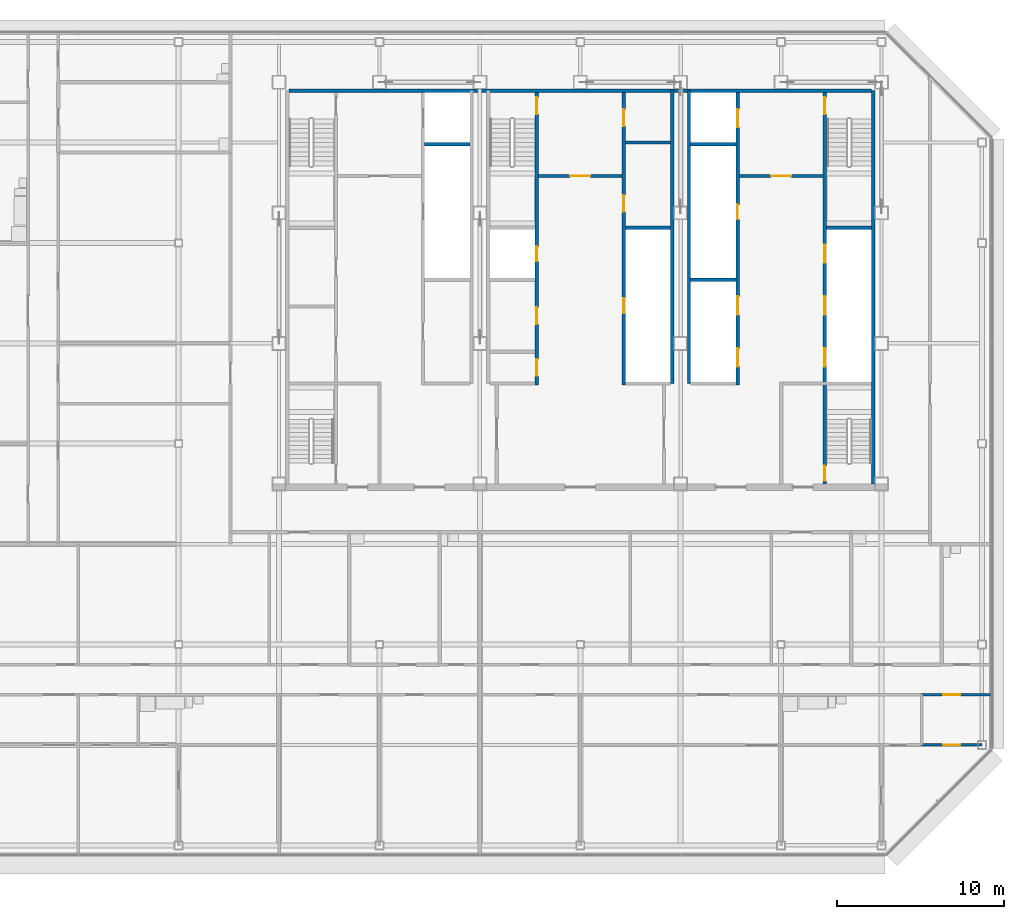
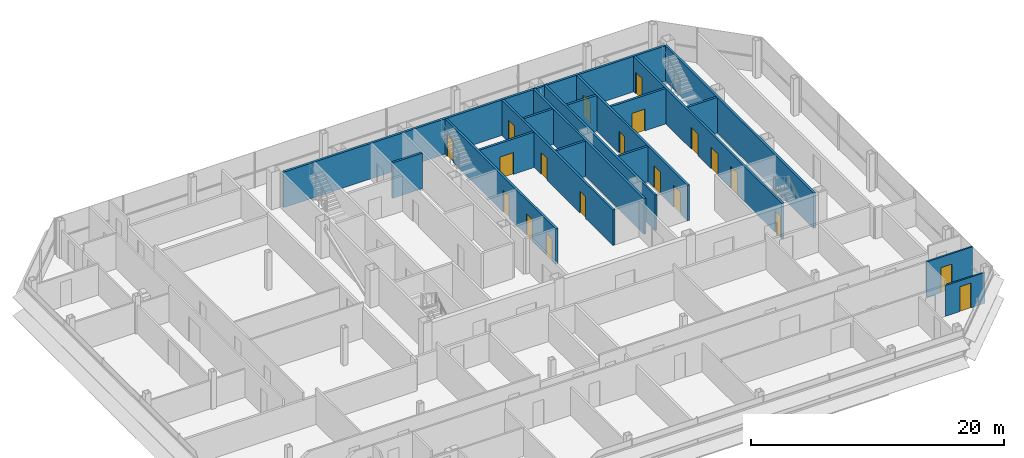
# One storey, part 24 of 27: 20 doors, 18 walls, 20 openings.
"""IFC4 building model written with IfcOpenShell, lengths in metres."""

from ifc_helpers import new_model, si_unit, direction, frame, frame_2d, origin, place, context, subcontext, project, spatial, rectangle, extrude, material, layer, layer_set, type_object, element, fill, save


model = new_model("IFC4")

# Units and contexts
model_context = context("Model", 3, precision=1e-05, world=origin(), true_north=direction((0.0, 1.0)))
body_context = subcontext(model_context, "Body", "Model", "MODEL_VIEW")
ifc_project = project(units=[si_unit("LENGTHUNIT", "METRE"), si_unit("AREAUNIT", "SQUARE_METRE"), si_unit("VOLUMEUNIT", "CUBIC_METRE"), si_unit("PLANEANGLEUNIT", "RADIAN"), si_unit("MASSUNIT", "GRAM", prefix="KILO")], contexts=[model_context])

# Site, building, storey
site_placement = place(None, origin())
site = spatial("IfcSite", under=ifc_project, at=site_placement, CompositionType="ELEMENT")
building_placement = place(site_placement, origin())
building = spatial("IfcBuilding", under=site, at=building_placement, Name="Sorahane Residences", CompositionType="ELEMENT")
storey_placement = place(building_placement, frame((0.0, 0.0, 312.39990234375)))
storey = spatial("IfcBuildingStorey", under=building, at=storey_placement, Name="L74", CompositionType="ELEMENT", Elevation=312.39990234375)

# Walls
ifc_material_1 = material(Name="Concrete C30", Category="concrete")
ifc_layer_1 = layer(ifc_material_1, 0.199951171875)
ifc_layer_set_1 = layer_set([ifc_layer_1], Name="Core face wall 200 EI 180")
wall_type_1 = type_object("IfcWallType", Name="Core face wall 200 EI 180", PredefinedType="SOLIDWALL", material=ifc_layer_set_1)
wall_1_placement = place(storey_placement, frame((41.5, 21.60009765625, 0.0), z_axis=(0.0, 0.0, 1.0), x_axis=(0.0, 1.0, 0.0)))
element("IfcWall", 1, at=wall_1_placement, inside=storey, type_object=wall_type_1, Name="L74 core face wall", PredefinedType="SOLIDWALL", context=body_context, shape_type="SweptSolid", body=[
    extrude(rectangle(XDim=23.5, YDim=0.199951171875, at=frame_2d((11.75, 0.0))), origin(), (0.0, 0.0, 1.0), 3.420166015625),
])
wall_2_placement = place(storey_placement, frame((6.60009765625, 45.10009765625, 0.0), z_axis=(0.0, 0.0, 1.0), x_axis=(1.0, 0.0, 0.0)))
element("IfcWall", 2, at=wall_2_placement, inside=storey, type_object=wall_type_1, Name="L74 core face wall", PredefinedType="SOLIDWALL", context=body_context, shape_type="SweptSolid", body=[
    extrude(rectangle(XDim=34.7998046875, YDim=0.199951171875, at=frame_2d((17.39990234375, 0.0))), origin(), (0.0, 0.0, 1.0), 3.420166015625),
])
for number, where, z_axis, x_axis, name in (
    (3, (29.5, 27.60009765625, 0.0), (0.0, 0.0, 1.0), (0.0, 1.0, 0.0), "L74 core face wall"),
    (4, (30.5, 27.60009765625, 0.0), (0.0, 0.0, 1.0), (0.0, 1.0, 0.0), "L74 core face wall"),
):
    element("IfcWall", number, at=place(storey_placement, frame(where, z_axis=z_axis, x_axis=x_axis)), inside=storey, type_object=wall_type_1, Name=name, PredefinedType="SOLIDWALL", context=body_context, shape_type="SweptSolid", body=[
        extrude(rectangle(XDim=17.5, YDim=0.199951171875, at=frame_2d((8.75, 0.0))), origin(), (0.0, 0.0, 1.0), 3.420166015625),
    ])

# Wall, opening, door
ifc_material_2 = material(Name="Concrete C30", Category="concrete")
ifc_layer_2 = layer(ifc_material_2, 0.199951171875)
ifc_layer_set_2 = layer_set([ifc_layer_2], Name="Front room wall 200 EI 120")
wall_type_2 = type_object("IfcWallType", Name="Front room wall 200 EI 120", PredefinedType="PARTITIONING", material=ifc_layer_set_2)
wall_3_placement = place(storey_placement, frame((21.5, 40.0, 0.0), z_axis=(0.0, 0.0, 1.0), x_axis=(1.0, 0.0, 0.0)))
wall_3 = element("IfcWall", 5, at=wall_3_placement, inside=storey, type_object=wall_type_2, Name="L74 front room wall", PredefinedType="PARTITIONING", context=body_context, shape_type="SweptSolid", body=[
    extrude(rectangle(XDim=5.0, YDim=0.199951171875, at=frame_2d((2.5, 0.0))), origin(), (0.0, 0.0, 1.0), 3.420166015625),
])
opening_1_placement = place(wall_3_placement, frame((1.89990234375, 0.0, 0.0)))
opening_1 = element("IfcOpeningElement", 6, at=opening_1_placement, cuts=wall_3, Name="Opening L74-C09", PredefinedType="OPENING", context=body_context, shape_type="SweptSolid", body=[
    extrude(rectangle(XDim=1.199951171875, YDim=2.10009765625, at=frame_2d((0.60009765625, 1.050048828125))), frame((0.0, 0.10986328125, 0.0), z_axis=(0.0, -1.0, 0.0), x_axis=(1.0, 0.0, 0.0)), (0.0, 0.0, 1.0), 0.219970703125),
])
ifc_material_3 = material(Name="Steel", Category="steel")
door_type_1 = type_object("IfcDoorType", Name="Front room door 1200x2100 FD120", OperationType="NOTDEFINED", PredefinedType="DOOR", material=ifc_material_3)
door_1_placement = place(opening_1_placement, frame((1.199951171875, 0.0, 0.0), z_axis=(0.0, 0.0, 1.0), x_axis=(-1.0, 0.0, 0.0)))
door_1 = element("IfcDoor", 7, at=door_1_placement, inside=storey, type_object=door_type_1, Name="Front room door Stair S3 vestibule L74", OperationType="DOUBLE_DOOR_SINGLE_SWING", OverallHeight=2.10009765625, OverallWidth=1.199951171875, PredefinedType="DOOR", context=body_context, shape_type="SweptSolid", body=[
    extrude(rectangle(XDim=1.199951171875, YDim=2.10009765625, at=frame_2d((0.60009765625, 1.050048828125))), frame((0.0, 0.02490234375, 0.0), z_axis=(0.0, -1.0, 0.0), x_axis=(1.0, 0.0, 0.0)), (0.0, 0.0, 1.0), 0.050048828125),
])
fill(opening_1, door_1)

wall_4_placement = place(storey_placement, frame((33.5, 40.0, 0.0), z_axis=(0.0, 0.0, 1.0), x_axis=(1.0, 0.0, 0.0)))
wall_4 = element("IfcWall", 8, at=wall_4_placement, inside=storey, type_object=wall_type_2, Name="L74 front room wall", PredefinedType="PARTITIONING", context=body_context, shape_type="SweptSolid", body=[
    extrude(rectangle(XDim=5.0, YDim=0.199951171875, at=frame_2d((2.5, 0.0))), origin(), (0.0, 0.0, 1.0), 3.420166015625),
])
opening_2_placement = place(wall_4_placement, frame((1.89990234375, 0.0, 0.0)))
opening_2 = element("IfcOpeningElement", 9, at=opening_2_placement, cuts=wall_4, Name="Opening L74-C10", PredefinedType="OPENING", context=body_context, shape_type="SweptSolid", body=[
    extrude(rectangle(XDim=1.199951171875, YDim=2.10009765625, at=frame_2d((0.60009765625, 1.050048828125))), frame((0.0, 0.10986328125, 0.0), z_axis=(0.0, -1.0, 0.0), x_axis=(1.0, 0.0, 0.0)), (0.0, 0.0, 1.0), 0.219970703125),
])
door_2_placement = place(opening_2_placement, frame((1.199951171875, 0.0, 0.0), z_axis=(0.0, 0.0, 1.0), x_axis=(-1.0, 0.0, 0.0)))
door_2 = element("IfcDoor", 10, at=door_2_placement, inside=storey, type_object=door_type_1, Name="Front room door Firefighting lobby FF2 front room L74", OperationType="DOUBLE_DOOR_SINGLE_SWING", OverallHeight=2.10009765625, OverallWidth=1.199951171875, PredefinedType="DOOR", context=body_context, shape_type="SweptSolid", body=[
    extrude(rectangle(XDim=1.199951171875, YDim=2.10009765625, at=frame_2d((0.60009765625, 1.050048828125))), frame((0.0, 0.02490234375, 0.0), z_axis=(0.0, -1.0, 0.0), x_axis=(1.0, 0.0, 0.0)), (0.0, 0.0, 1.0), 0.050048828125),
])
fill(opening_2, door_2)

# Wall, openings, doors
ifc_material_4 = material(Name="Concrete C30", Category="concrete")
ifc_layer_3 = layer(ifc_material_4, 0.199951171875)
ifc_layer_set_3 = layer_set([ifc_layer_3], Name="Lift shaft wall 200 EI 120")
wall_type_3 = type_object("IfcWallType", Name="Lift shaft wall 200 EI 120", PredefinedType="SOLIDWALL", material=ifc_layer_set_3)
wall_5_placement = place(storey_placement, frame((33.39990234375, 27.5, 0.0), z_axis=(0.0, 0.0, 1.0), x_axis=(0.0, 1.0, 0.0)))
wall_5 = element("IfcWall", 11, at=wall_5_placement, inside=storey, type_object=wall_type_3, Name="L74 lift shaft wall", PredefinedType="SOLIDWALL", context=body_context, shape_type="SweptSolid", body=[
    extrude(rectangle(XDim=17.5, YDim=0.199951171875, at=frame_2d((8.75, 0.0))), origin(), (0.0, 0.0, 1.0), 3.420166015625),
])
opening_3_placement = place(wall_5_placement, frame((1.10009765625, 0.0, 0.0)))
opening_3 = element("IfcOpeningElement", 12, at=opening_3_placement, cuts=wall_5, Name="Opening L74-C14", PredefinedType="OPENING", context=body_context, shape_type="SweptSolid", body=[
    extrude(rectangle(XDim=1.10009765625, YDim=2.10009765625, at=frame_2d((0.550048828125, 1.050048828125))), frame((0.0, 0.10986328125, 0.0), z_axis=(0.0, -1.0, 0.0), x_axis=(1.0, 0.0, 0.0)), (0.0, 0.0, 1.0), 0.219970703125),
])
opening_4_placement = place(wall_5_placement, frame((4.199951171875, 0.0, 0.0)))
opening_4 = element("IfcOpeningElement", 13, at=opening_4_placement, cuts=wall_5, Name="Opening L74-C15", PredefinedType="OPENING", context=body_context, shape_type="SweptSolid", body=[
    extrude(rectangle(XDim=1.10009765625, YDim=2.10009765625, at=frame_2d((0.550048828125, 1.050048828125))), frame((0.0, 0.10986328125, 0.0), z_axis=(0.0, -1.0, 0.0), x_axis=(1.0, 0.0, 0.0)), (0.0, 0.0, 1.0), 0.219970703125),
])
opening_5_placement = place(wall_5_placement, frame((15.39990234375, 0.0, 0.0)))
opening_5 = element("IfcOpeningElement", 14, at=opening_5_placement, cuts=wall_5, Name="Opening L74-C16", PredefinedType="OPENING", context=body_context, shape_type="SweptSolid", body=[
    extrude(rectangle(XDim=1.10009765625, YDim=2.10009765625, at=frame_2d((0.550048828125, 1.050048828125))), frame((0.0, 0.10986328125, 0.0), z_axis=(0.0, -1.0, 0.0), x_axis=(1.0, 0.0, 0.0)), (0.0, 0.0, 1.0), 0.219970703125),
])
opening_6_placement = place(wall_5_placement, frame((9.89990234375, 0.0, 0.0)))
opening_6 = element("IfcOpeningElement", 15, at=opening_6_placement, cuts=wall_5, Name="Opening L74-C29", PredefinedType="OPENING", context=body_context, shape_type="SweptSolid", body=[
    extrude(rectangle(XDim=0.89990234375, YDim=2.10009765625, at=frame_2d((0.449951171875, 1.050048828125))), frame((0.0, 0.10986328125, 0.0), z_axis=(0.0, -1.0, 0.0), x_axis=(1.0, 0.0, 0.0)), (0.0, 0.0, 1.0), 0.219970703125),
])
ifc_material_5 = material(Name="Aluminium and stainless steel", Category="steel")
door_type_2 = type_object("IfcDoorType", Name="Lift landing door 1100x2100 E 60", OperationType="NOTDEFINED", PredefinedType="DOOR", material=ifc_material_5)
door_3_placement = place(opening_3_placement, origin())
door_3 = element("IfcDoor", 16, at=door_3_placement, inside=storey, type_object=door_type_2, Name="Lift landing door HR4 L74", OperationType="DOUBLE_DOOR_SLIDING", OverallHeight=2.10009765625, OverallWidth=1.10009765625, PredefinedType="DOOR", context=body_context, shape_type="SweptSolid", body=[
    extrude(rectangle(XDim=1.10009765625, YDim=2.10009765625, at=frame_2d((0.550048828125, 1.050048828125))), frame((0.0, 0.02490234375, 0.0), z_axis=(0.0, -1.0, 0.0), x_axis=(1.0, 0.0, 0.0)), (0.0, 0.0, 1.0), 0.050048828125),
])
fill(opening_3, door_3)
door_4_placement = place(opening_4_placement, origin())
door_4 = element("IfcDoor", 17, at=door_4_placement, inside=storey, type_object=door_type_2, Name="Lift landing door HR5 L74", OperationType="DOUBLE_DOOR_SLIDING", OverallHeight=2.10009765625, OverallWidth=1.10009765625, PredefinedType="DOOR", context=body_context, shape_type="SweptSolid", body=[
    extrude(rectangle(XDim=1.10009765625, YDim=2.10009765625, at=frame_2d((0.550048828125, 1.050048828125))), frame((0.0, 0.02490234375, 0.0), z_axis=(0.0, -1.0, 0.0), x_axis=(1.0, 0.0, 0.0)), (0.0, 0.0, 1.0), 0.050048828125),
])
fill(opening_4, door_4)
door_5_placement = place(opening_5_placement, origin())
door_5 = element("IfcDoor", 18, at=door_5_placement, inside=storey, type_object=door_type_2, Name="Lift landing door FF2 L74", OperationType="DOUBLE_DOOR_SLIDING", OverallHeight=2.10009765625, OverallWidth=1.10009765625, PredefinedType="DOOR", context=body_context, shape_type="SweptSolid", body=[
    extrude(rectangle(XDim=1.10009765625, YDim=2.10009765625, at=frame_2d((0.550048828125, 1.050048828125))), frame((0.0, 0.02490234375, 0.0), z_axis=(0.0, -1.0, 0.0), x_axis=(1.0, 0.0, 0.0)), (0.0, 0.0, 1.0), 0.050048828125),
])
fill(opening_5, door_5)
ifc_material_6 = material(Name="Steel", Category="steel")
door_type_3 = type_object("IfcDoorType", Name="Riser door 900x2100 FD120", OperationType="NOTDEFINED", PredefinedType="DOOR", material=ifc_material_6)
door_6_placement = place(opening_6_placement, frame((0.89990234375, 0.0, 0.0), z_axis=(0.0, 0.0, 1.0), x_axis=(-1.0, 0.0, 0.0)))
door_6 = element("IfcDoor", 19, at=door_6_placement, inside=storey, type_object=door_type_3, Name="Riser door R2 L74", OperationType="SINGLE_SWING_LEFT", OverallHeight=2.10009765625, OverallWidth=0.89990234375, PredefinedType="DOOR", context=body_context, shape_type="SweptSolid", body=[
    extrude(rectangle(XDim=0.89990234375, YDim=2.10009765625, at=frame_2d((0.449951171875, 1.050048828125))), frame((0.0, 0.02490234375, 0.0), z_axis=(0.0, -1.0, 0.0), x_axis=(1.0, 0.0, 0.0)), (0.0, 0.0, 1.0), 0.050048828125),
])
fill(opening_6, door_6)

# Walls
for number, where, z_axis, x_axis, name in (
    (20, (30.60009765625, 33.800048828125, 0.0), (0.0, 0.0, 1.0), (1.0, 0.0, 0.0), "L74 lift shaft wall"),
    (21, (14.699951171875, 41.89990234375, 0.0), (0.0, 0.0, 1.0), (1.0, 0.0, 0.0), "L74 lift shaft wall"),
    (22, (30.60009765625, 41.89990234375, 0.0), (0.0, 0.0, 1.0), (1.0, 0.0, 0.0), "L74 lift shaft wall"),
):
    element("IfcWall", number, at=place(storey_placement, frame(where, z_axis=z_axis, x_axis=x_axis)), inside=storey, type_object=wall_type_3, Name=name, PredefinedType="SOLIDWALL", context=body_context, shape_type="SweptSolid", body=[
        extrude(rectangle(XDim=2.699951171875, YDim=0.199951171875, at=frame_2d((1.35009765625, 0.0))), origin(), (0.0, 0.0, 1.0), 3.420166015625),
    ])

# Wall, opening, door
ifc_material_7 = material(Name="Gypsum board partition on steel studs", Category="steel")
ifc_layer_4 = layer(ifc_material_7, 0.14990234375)
ifc_layer_set_4 = layer_set([ifc_layer_4], Name="Partition 150 EI 90")
wall_type_4 = type_object("IfcWallType", Name="Partition 150 EI 90", PredefinedType="PARTITIONING", material=ifc_layer_set_4)
wall_6_placement = place(storey_placement, frame((44.39990234375, 6.0, 0.0), z_axis=(0.0, 0.0, 1.0), x_axis=(1.0, 0.0, 0.0)))
wall_6 = element("IfcWall", 23, at=wall_6_placement, inside=storey, type_object=wall_type_4, Name="L74 partition", PredefinedType="PARTITIONING", context=body_context, shape_type="SweptSolid", body=[
    extrude(rectangle(XDim=3.60009765625, YDim=0.14990234375, at=frame_2d((1.800048828125, 0.0))), origin(), (0.0, 0.0, 1.0), 2.97021484375),
])
opening_7_placement = place(wall_6_placement, frame((1.300048828125, 0.0, 0.0)))
opening_7 = element("IfcOpeningElement", 24, at=opening_7_placement, cuts=wall_6, Name="Opening L74-23", PredefinedType="OPENING", context=body_context, shape_type="SweptSolid", body=[
    extrude(rectangle(XDim=1.0, YDim=2.39990234375, at=frame_2d((0.5, 1.199951171875))), frame((0.0, 0.0849609375, 0.0), z_axis=(0.0, -1.0, 0.0), x_axis=(1.0, 0.0, 0.0)), (0.0, 0.0, 1.0), 0.169921875),
])
ifc_material_8 = material(Name="Timber veneered fire door", Category="wood")
door_type_4 = type_object("IfcDoorType", Name="Room door 1000x2400 FD30", OperationType="NOTDEFINED", PredefinedType="DOOR", material=ifc_material_8)
door_7_placement = place(opening_7_placement, frame((1.0, 0.0, 0.0), z_axis=(0.0, 0.0, 1.0), x_axis=(-1.0, 0.0, 0.0)))
door_7 = element("IfcDoor", 25, at=door_7_placement, inside=storey, type_object=door_type_4, Name="Room door L74-23", OperationType="SINGLE_SWING_LEFT", OverallHeight=2.39990234375, OverallWidth=1.0, PredefinedType="DOOR", context=body_context, shape_type="SweptSolid", body=[
    extrude(rectangle(XDim=1.0, YDim=2.39990234375, at=frame_2d((0.5, 1.199951171875))), frame((0.0, 0.02490234375, 0.0), z_axis=(0.0, -1.0, 0.0), x_axis=(1.0, 0.0, 0.0)), (0.0, 0.0, 1.0), 0.050048828125),
])
fill(opening_7, door_7)

wall_7_placement = place(storey_placement, frame((44.39990234375, 9.0, 0.0), z_axis=(0.0, 0.0, 1.0), x_axis=(1.0, 0.0, 0.0)))
wall_7 = element("IfcWall", 26, at=wall_7_placement, inside=storey, type_object=wall_type_4, Name="L74 partition", PredefinedType="PARTITIONING", context=body_context, shape_type="SweptSolid", body=[
    extrude(rectangle(XDim=4.2001953125, YDim=0.14990234375, at=frame_2d((2.10009765625, 0.0))), origin(), (0.0, 0.0, 1.0), 3.420166015625),
])
opening_8_placement = place(wall_7_placement, frame((1.300048828125, 0.0, 0.0)))
opening_8 = element("IfcOpeningElement", 27, at=opening_8_placement, cuts=wall_7, Name="Opening L74-21", PredefinedType="OPENING", context=body_context, shape_type="SweptSolid", body=[
    extrude(rectangle(XDim=1.0, YDim=2.39990234375, at=frame_2d((0.5, 1.199951171875))), frame((0.0, 0.0849609375, 0.0), z_axis=(0.0, -1.0, 0.0), x_axis=(1.0, 0.0, 0.0)), (0.0, 0.0, 1.0), 0.169921875),
])
door_8_placement = place(opening_8_placement, frame((1.0, 0.0, 0.0), z_axis=(0.0, 0.0, 1.0), x_axis=(-1.0, 0.0, 0.0)))
door_8 = element("IfcDoor", 28, at=door_8_placement, inside=storey, type_object=door_type_4, Name="Room door L74-21", OperationType="SINGLE_SWING_RIGHT", OverallHeight=2.39990234375, OverallWidth=1.0, PredefinedType="DOOR", context=body_context, shape_type="SweptSolid", body=[
    extrude(rectangle(XDim=1.0, YDim=2.39990234375, at=frame_2d((0.5, 1.199951171875))), frame((0.0, 0.02490234375, 0.0), z_axis=(0.0, -1.0, 0.0), x_axis=(1.0, 0.0, 0.0)), (0.0, 0.0, 1.0), 0.050048828125),
])
fill(opening_8, door_8)

# Wall, openings, doors
ifc_material_9 = material(Name="Concrete C30", Category="concrete")
ifc_layer_5 = layer(ifc_material_9, 0.199951171875)
ifc_layer_set_5 = layer_set([ifc_layer_5], Name="Riser shaft wall 200 EI 120")
wall_type_5 = type_object("IfcWallType", Name="Riser shaft wall 200 EI 120", PredefinedType="SOLIDWALL", material=ifc_layer_set_5)
wall_8_placement = place(storey_placement, frame((26.60009765625, 27.5, 0.0), z_axis=(0.0, 0.0, 1.0), x_axis=(0.0, 1.0, 0.0)))
wall_8 = element("IfcWall", 29, at=wall_8_placement, inside=storey, type_object=wall_type_5, Name="L74 riser wall", PredefinedType="SOLIDWALL", context=body_context, shape_type="SweptSolid", body=[
    extrude(rectangle(XDim=17.5, YDim=0.199951171875, at=frame_2d((8.75, 0.0))), origin(), (0.0, 0.0, 1.0), 3.420166015625),
])
opening_9_placement = place(wall_8_placement, frame((4.300048828125, 0.0, 0.0)))
opening_9 = element("IfcOpeningElement", 30, at=opening_9_placement, cuts=wall_8, Name="Opening L74-C31", PredefinedType="OPENING", context=body_context, shape_type="SweptSolid", body=[
    extrude(rectangle(XDim=0.89990234375, YDim=2.10009765625, at=frame_2d((0.449951171875, 1.050048828125))), frame((0.0, 0.10986328125, 0.0), z_axis=(0.0, -1.0, 0.0), x_axis=(1.0, 0.0, 0.0)), (0.0, 0.0, 1.0), 0.219970703125),
])
opening_10_placement = place(wall_8_placement, frame((10.35009765625, 0.0, 0.0)))
opening_10 = element("IfcOpeningElement", 31, at=opening_10_placement, cuts=wall_8, Name="Opening L74-C32", PredefinedType="OPENING", context=body_context, shape_type="SweptSolid", body=[
    extrude(rectangle(XDim=1.0, YDim=2.10009765625, at=frame_2d((0.5, 1.050048828125))), frame((0.0, 0.10986328125, 0.0), z_axis=(0.0, -1.0, 0.0), x_axis=(1.0, 0.0, 0.0)), (0.0, 0.0, 1.0), 0.219970703125),
])
opening_11_placement = place(wall_8_placement, frame((15.47509765625, 0.0, 0.0)))
opening_11 = element("IfcOpeningElement", 32, at=opening_11_placement, cuts=wall_8, Name="Opening L74-C33", PredefinedType="OPENING", context=body_context, shape_type="SweptSolid", body=[
    extrude(rectangle(XDim=1.0, YDim=2.10009765625, at=frame_2d((0.5, 1.050048828125))), frame((0.0, 0.10986328125, 0.0), z_axis=(0.0, -1.0, 0.0), x_axis=(1.0, 0.0, 0.0)), (0.0, 0.0, 1.0), 0.219970703125),
])
door_9_placement = place(opening_9_placement, origin())
door_9 = element("IfcDoor", 33, at=door_9_placement, inside=storey, type_object=door_type_3, Name="Riser door R4 L74", OperationType="SINGLE_SWING_LEFT", OverallHeight=2.10009765625, OverallWidth=0.89990234375, PredefinedType="DOOR", context=body_context, shape_type="SweptSolid", body=[
    extrude(rectangle(XDim=0.89990234375, YDim=2.10009765625, at=frame_2d((0.449951171875, 1.050048828125))), frame((0.0, 0.02490234375, 0.0), z_axis=(0.0, -1.0, 0.0), x_axis=(1.0, 0.0, 0.0)), (0.0, 0.0, 1.0), 0.050048828125),
])
fill(opening_9, door_9)
ifc_material_10 = material(Name="Steel", Category="steel")
door_type_5 = type_object("IfcDoorType", Name="Service room door 1000x2100 FD60", OperationType="NOTDEFINED", PredefinedType="DOOR", material=ifc_material_10)
door_10_placement = place(opening_10_placement, frame((1.0, 0.0, 0.0), z_axis=(0.0, 0.0, 1.0), x_axis=(-1.0, 0.0, 0.0)))
door_10 = element("IfcDoor", 34, at=door_10_placement, inside=storey, type_object=door_type_5, Name="Service room door Parcel room L74", OperationType="SINGLE_SWING_LEFT", OverallHeight=2.10009765625, OverallWidth=1.0, PredefinedType="DOOR", context=body_context, shape_type="SweptSolid", body=[
    extrude(rectangle(XDim=1.0, YDim=2.10009765625, at=frame_2d((0.5, 1.050048828125))), frame((0.0, 0.02490234375, 0.0), z_axis=(0.0, -1.0, 0.0), x_axis=(1.0, 0.0, 0.0)), (0.0, 0.0, 1.0), 0.050048828125),
])
fill(opening_10, door_10)
door_11_placement = place(opening_11_placement, frame((1.0, 0.0, 0.0), z_axis=(0.0, 0.0, 1.0), x_axis=(-1.0, 0.0, 0.0)))
door_11 = element("IfcDoor", 35, at=door_11_placement, inside=storey, type_object=door_type_5, Name="Service room door Refuse room L74", OperationType="SINGLE_SWING_RIGHT", OverallHeight=2.10009765625, OverallWidth=1.0, PredefinedType="DOOR", context=body_context, shape_type="SweptSolid", body=[
    extrude(rectangle(XDim=1.0, YDim=2.10009765625, at=frame_2d((0.5, 1.050048828125))), frame((0.0, 0.02490234375, 0.0), z_axis=(0.0, -1.0, 0.0), x_axis=(1.0, 0.0, 0.0)), (0.0, 0.0, 1.0), 0.050048828125),
])
fill(opening_11, door_11)

# Walls
wall_9_placement = place(storey_placement, frame((26.699951171875, 36.89990234375, 0.0), z_axis=(0.0, 0.0, 1.0), x_axis=(1.0, 0.0, 0.0)))
element("IfcWall", 36, at=wall_9_placement, inside=storey, type_object=wall_type_5, Name="L74 riser wall", PredefinedType="SOLIDWALL", context=body_context, shape_type="SweptSolid", body=[
    extrude(rectangle(XDim=2.699951171875, YDim=0.199951171875, at=frame_2d((1.35009765625, 0.0))), origin(), (0.0, 0.0, 1.0), 3.420166015625),
])
ifc_material_11 = material(Name="Concrete C30", Category="concrete")
ifc_layer_6 = layer(ifc_material_11, 0.199951171875)
ifc_layer_set_6 = layer_set([ifc_layer_6], Name="Service room partition 200 EI 60")
wall_type_6 = type_object("IfcWallType", Name="Service room partition 200 EI 60", PredefinedType="PARTITIONING", material=ifc_layer_set_6)
wall_10_placement = place(storey_placement, frame((26.699951171875, 42.0, 0.0), z_axis=(0.0, 0.0, 1.0), x_axis=(1.0, 0.0, 0.0)))
element("IfcWall", 37, at=wall_10_placement, inside=storey, type_object=wall_type_6, Name="L74 service room wall", PredefinedType="PARTITIONING", context=body_context, shape_type="SweptSolid", body=[
    extrude(rectangle(XDim=2.699951171875, YDim=0.199951171875, at=frame_2d((1.35009765625, 0.0))), origin(), (0.0, 0.0, 1.0), 3.420166015625),
])

# Wall, openings, doors
ifc_material_12 = material(Name="Concrete C30", Category="concrete")
ifc_layer_7 = layer(ifc_material_12, 0.199951171875)
ifc_layer_set_7 = layer_set([ifc_layer_7], Name="Stair enclosure wall 200 EI 120")
wall_type_7 = type_object("IfcWallType", Name="Stair enclosure wall 200 EI 120", PredefinedType="SOLIDWALL", material=ifc_layer_set_7)
wall_11_placement = place(storey_placement, frame((21.39990234375, 27.5, 0.0), z_axis=(0.0, 0.0, 1.0), x_axis=(0.0, 1.0, 0.0)))
wall_11 = element("IfcWall", 38, at=wall_11_placement, inside=storey, type_object=wall_type_7, Name="L74 stair enclosure wall", PredefinedType="SOLIDWALL", context=body_context, shape_type="SweptSolid", body=[
    extrude(rectangle(XDim=17.5, YDim=0.199951171875, at=frame_2d((8.75, 0.0))), origin(), (0.0, 0.0, 1.0), 3.420166015625),
])
opening_12_placement = place(wall_11_placement, frame((0.550048828125, 0.0, 0.0)))
opening_12 = element("IfcOpeningElement", 39, at=opening_12_placement, cuts=wall_11, Name="Opening L74-C18", PredefinedType="OPENING", context=body_context, shape_type="SweptSolid", body=[
    extrude(rectangle(XDim=1.0, YDim=2.10009765625, at=frame_2d((0.5, 1.050048828125))), frame((0.0, 0.10986328125, 0.0), z_axis=(0.0, -1.0, 0.0), x_axis=(1.0, 0.0, 0.0)), (0.0, 0.0, 1.0), 0.219970703125),
])
opening_13_placement = place(wall_11_placement, frame((3.64990234375, 0.0, 0.0)))
opening_13 = element("IfcOpeningElement", 40, at=opening_13_placement, cuts=wall_11, Name="Opening L74-C19", PredefinedType="OPENING", context=body_context, shape_type="SweptSolid", body=[
    extrude(rectangle(XDim=1.0, YDim=2.10009765625, at=frame_2d((0.5, 1.050048828125))), frame((0.0, 0.10986328125, 0.0), z_axis=(0.0, -1.0, 0.0), x_axis=(1.0, 0.0, 0.0)), (0.0, 0.0, 1.0), 0.219970703125),
])
opening_14_placement = place(wall_11_placement, frame((16.199951171875, 0.0, 0.0)))
opening_14 = element("IfcOpeningElement", 41, at=opening_14_placement, cuts=wall_11, Name="Opening L74-C25", PredefinedType="OPENING", context=body_context, shape_type="SweptSolid", body=[
    extrude(rectangle(XDim=1.0, YDim=2.10009765625, at=frame_2d((0.5, 1.050048828125))), frame((0.0, 0.10986328125, 0.0), z_axis=(0.0, -1.0, 0.0), x_axis=(1.0, 0.0, 0.0)), (0.0, 0.0, 1.0), 0.219970703125),
])
opening_15_placement = place(wall_11_placement, frame((7.39990234375, 0.0, 0.0)))
opening_15 = element("IfcOpeningElement", 42, at=opening_15_placement, cuts=wall_11, Name="Opening L74-C30", PredefinedType="OPENING", context=body_context, shape_type="SweptSolid", body=[
    extrude(rectangle(XDim=0.89990234375, YDim=2.10009765625, at=frame_2d((0.449951171875, 1.050048828125))), frame((0.0, 0.10986328125, 0.0), z_axis=(0.0, -1.0, 0.0), x_axis=(1.0, 0.0, 0.0)), (0.0, 0.0, 1.0), 0.219970703125),
])
door_12_placement = place(opening_15_placement, frame((0.89990234375, 0.0, 0.0), z_axis=(0.0, 0.0, 1.0), x_axis=(-1.0, 0.0, 0.0)))
door_12 = element("IfcDoor", 43, at=door_12_placement, inside=storey, type_object=door_type_3, Name="Riser door R3 L74", OperationType="SINGLE_SWING_LEFT", OverallHeight=2.10009765625, OverallWidth=0.89990234375, PredefinedType="DOOR", context=body_context, shape_type="SweptSolid", body=[
    extrude(rectangle(XDim=0.89990234375, YDim=2.10009765625, at=frame_2d((0.449951171875, 1.050048828125))), frame((0.0, 0.02490234375, 0.0), z_axis=(0.0, -1.0, 0.0), x_axis=(1.0, 0.0, 0.0)), (0.0, 0.0, 1.0), 0.050048828125),
])
fill(opening_15, door_12)
door_13_placement = place(opening_12_placement, origin())
door_13 = element("IfcDoor", 44, at=door_13_placement, inside=storey, type_object=door_type_5, Name="Service room door Gift store L74", OperationType="SINGLE_SWING_LEFT", OverallHeight=2.10009765625, OverallWidth=1.0, PredefinedType="DOOR", context=body_context, shape_type="SweptSolid", body=[
    extrude(rectangle(XDim=1.0, YDim=2.10009765625, at=frame_2d((0.5, 1.050048828125))), frame((0.0, 0.02490234375, 0.0), z_axis=(0.0, -1.0, 0.0), x_axis=(1.0, 0.0, 0.0)), (0.0, 0.0, 1.0), 0.050048828125),
])
fill(opening_12, door_13)
door_14_placement = place(opening_13_placement, origin())
door_14 = element("IfcDoor", 45, at=door_14_placement, inside=storey, type_object=door_type_5, Name="Service room door Audio room L74", OperationType="SINGLE_SWING_LEFT", OverallHeight=2.10009765625, OverallWidth=1.0, PredefinedType="DOOR", context=body_context, shape_type="SweptSolid", body=[
    extrude(rectangle(XDim=1.0, YDim=2.10009765625, at=frame_2d((0.5, 1.050048828125))), frame((0.0, 0.02490234375, 0.0), z_axis=(0.0, -1.0, 0.0), x_axis=(1.0, 0.0, 0.0)), (0.0, 0.0, 1.0), 0.050048828125),
])
fill(opening_13, door_14)
ifc_material_13 = material(Name="Steel", Category="steel")
door_type_6 = type_object("IfcDoorType", Name="Stair door 1000x2100 FD120", OperationType="NOTDEFINED", PredefinedType="DOOR", material=ifc_material_13)
door_15_placement = place(opening_14_placement, origin())
door_15 = element("IfcDoor", 46, at=door_15_placement, inside=storey, type_object=door_type_6, Name="Stair door S3 L74", OperationType="SINGLE_SWING_LEFT", OverallHeight=2.10009765625, OverallWidth=1.0, PredefinedType="DOOR", context=body_context, shape_type="SweptSolid", body=[
    extrude(rectangle(XDim=1.0, YDim=2.10009765625, at=frame_2d((0.5, 1.050048828125))), frame((0.0, 0.02490234375, 0.0), z_axis=(0.0, -1.0, 0.0), x_axis=(1.0, 0.0, 0.0)), (0.0, 0.0, 1.0), 0.050048828125),
])
fill(opening_14, door_15)

wall_12_placement = place(storey_placement, frame((38.60009765625, 21.60009765625, 0.0), z_axis=(0.0, 0.0, 1.0), x_axis=(0.0, 1.0, 0.0)))
wall_12 = element("IfcWall", 47, at=wall_12_placement, inside=storey, type_object=wall_type_7, Name="L74 stair enclosure wall", PredefinedType="SOLIDWALL", context=body_context, shape_type="SweptSolid", body=[
    extrude(rectangle(XDim=23.39990234375, YDim=0.199951171875, at=frame_2d((11.699951171875, 0.0))), origin(), (0.0, 0.0, 1.0), 3.420166015625),
])
opening_16_placement = place(wall_12_placement, frame((7.0, 0.0, 0.0)))
opening_16 = element("IfcOpeningElement", 48, at=opening_16_placement, cuts=wall_12, Name="Opening L74-C11", PredefinedType="OPENING", context=body_context, shape_type="SweptSolid", body=[
    extrude(rectangle(XDim=1.10009765625, YDim=2.10009765625, at=frame_2d((0.550048828125, 1.050048828125))), frame((0.0, 0.10986328125, 0.0), z_axis=(0.0, -1.0, 0.0), x_axis=(1.0, 0.0, 0.0)), (0.0, 0.0, 1.0), 0.219970703125),
])
opening_17_placement = place(wall_12_placement, frame((10.10009765625, 0.0, 0.0)))
opening_17 = element("IfcOpeningElement", 49, at=opening_17_placement, cuts=wall_12, Name="Opening L74-C12", PredefinedType="OPENING", context=body_context, shape_type="SweptSolid", body=[
    extrude(rectangle(XDim=1.10009765625, YDim=2.10009765625, at=frame_2d((0.550048828125, 1.050048828125))), frame((0.0, 0.10986328125, 0.0), z_axis=(0.0, -1.0, 0.0), x_axis=(1.0, 0.0, 0.0)), (0.0, 0.0, 1.0), 0.219970703125),
])
opening_18_placement = place(wall_12_placement, frame((13.199951171875, 0.0, 0.0)))
opening_18 = element("IfcOpeningElement", 50, at=opening_18_placement, cuts=wall_12, Name="Opening L74-C13", PredefinedType="OPENING", context=body_context, shape_type="SweptSolid", body=[
    extrude(rectangle(XDim=1.10009765625, YDim=2.10009765625, at=frame_2d((0.550048828125, 1.050048828125))), frame((0.0, 0.10986328125, 0.0), z_axis=(0.0, -1.0, 0.0), x_axis=(1.0, 0.0, 0.0)), (0.0, 0.0, 1.0), 0.219970703125),
])
opening_19_placement = place(wall_12_placement, frame((22.10009765625, 0.0, 0.0)))
opening_19 = element("IfcOpeningElement", 51, at=opening_19_placement, cuts=wall_12, Name="Opening L74-C24", PredefinedType="OPENING", context=body_context, shape_type="SweptSolid", body=[
    extrude(rectangle(XDim=1.0, YDim=2.10009765625, at=frame_2d((0.5, 1.050048828125))), frame((0.0, 0.10986328125, 0.0), z_axis=(0.0, -1.0, 0.0), x_axis=(1.0, 0.0, 0.0)), (0.0, 0.0, 1.0), 0.219970703125),
])
opening_20_placement = place(wall_12_placement, frame((0.175048828125, 0.0, 0.0)))
opening_20 = element("IfcOpeningElement", 52, at=opening_20_placement, cuts=wall_12, Name="Opening L74-C27", PredefinedType="OPENING", context=body_context, shape_type="SweptSolid", body=[
    extrude(rectangle(XDim=0.89990234375, YDim=2.10009765625, at=frame_2d((0.449951171875, 1.050048828125))), frame((0.0, 0.10986328125, 0.0), z_axis=(0.0, -1.0, 0.0), x_axis=(1.0, 0.0, 0.0)), (0.0, 0.0, 1.0), 0.219970703125),
])
door_16_placement = place(opening_16_placement, origin())
door_16 = element("IfcDoor", 53, at=door_16_placement, inside=storey, type_object=door_type_2, Name="Lift landing door HR1 L74", OperationType="DOUBLE_DOOR_SLIDING", OverallHeight=2.10009765625, OverallWidth=1.10009765625, PredefinedType="DOOR", context=body_context, shape_type="SweptSolid", body=[
    extrude(rectangle(XDim=1.10009765625, YDim=2.10009765625, at=frame_2d((0.550048828125, 1.050048828125))), frame((0.0, 0.02490234375, 0.0), z_axis=(0.0, -1.0, 0.0), x_axis=(1.0, 0.0, 0.0)), (0.0, 0.0, 1.0), 0.050048828125),
])
fill(opening_16, door_16)
door_17_placement = place(opening_17_placement, origin())
door_17 = element("IfcDoor", 54, at=door_17_placement, inside=storey, type_object=door_type_2, Name="Lift landing door HR2 L74", OperationType="DOUBLE_DOOR_SLIDING", OverallHeight=2.10009765625, OverallWidth=1.10009765625, PredefinedType="DOOR", context=body_context, shape_type="SweptSolid", body=[
    extrude(rectangle(XDim=1.10009765625, YDim=2.10009765625, at=frame_2d((0.550048828125, 1.050048828125))), frame((0.0, 0.02490234375, 0.0), z_axis=(0.0, -1.0, 0.0), x_axis=(1.0, 0.0, 0.0)), (0.0, 0.0, 1.0), 0.050048828125),
])
fill(opening_17, door_17)
door_18_placement = place(opening_18_placement, origin())
door_18 = element("IfcDoor", 55, at=door_18_placement, inside=storey, type_object=door_type_2, Name="Lift landing door HR3 L74", OperationType="DOUBLE_DOOR_SLIDING", OverallHeight=2.10009765625, OverallWidth=1.10009765625, PredefinedType="DOOR", context=body_context, shape_type="SweptSolid", body=[
    extrude(rectangle(XDim=1.10009765625, YDim=2.10009765625, at=frame_2d((0.550048828125, 1.050048828125))), frame((0.0, 0.02490234375, 0.0), z_axis=(0.0, -1.0, 0.0), x_axis=(1.0, 0.0, 0.0)), (0.0, 0.0, 1.0), 0.050048828125),
])
fill(opening_18, door_18)
door_19_placement = place(opening_19_placement, frame((1.0, 0.0, 0.0), z_axis=(0.0, 0.0, 1.0), x_axis=(-1.0, 0.0, 0.0)))
door_19 = element("IfcDoor", 56, at=door_19_placement, inside=storey, type_object=door_type_6, Name="Stair door S2 L74", OperationType="SINGLE_SWING_LEFT", OverallHeight=2.10009765625, OverallWidth=1.0, PredefinedType="DOOR", context=body_context, shape_type="SweptSolid", body=[
    extrude(rectangle(XDim=1.0, YDim=2.10009765625, at=frame_2d((0.5, 1.050048828125))), frame((0.0, 0.02490234375, 0.0), z_axis=(0.0, -1.0, 0.0), x_axis=(1.0, 0.0, 0.0)), (0.0, 0.0, 1.0), 0.050048828125),
])
fill(opening_19, door_19)
ifc_material_14 = material(Name="Steel", Category="steel")
door_type_7 = type_object("IfcDoorType", Name="Stair door 900x2100 FD120", OperationType="NOTDEFINED", PredefinedType="DOOR", material=ifc_material_14)
door_20_placement = place(opening_20_placement, frame((0.89990234375, 0.0, 0.0), z_axis=(0.0, 0.0, 1.0), x_axis=(-1.0, 0.0, 0.0)))
door_20 = element("IfcDoor", 57, at=door_20_placement, inside=storey, type_object=door_type_7, Name="Stair door S5 L74", OperationType="SINGLE_SWING_LEFT", OverallHeight=2.10009765625, OverallWidth=0.89990234375, PredefinedType="DOOR", context=body_context, shape_type="SweptSolid", body=[
    extrude(rectangle(XDim=0.89990234375, YDim=2.10009765625, at=frame_2d((0.449951171875, 1.050048828125))), frame((0.0, 0.02490234375, 0.0), z_axis=(0.0, -1.0, 0.0), x_axis=(1.0, 0.0, 0.0)), (0.0, 0.0, 1.0), 0.050048828125),
])
fill(opening_20, door_20)

# Wall
wall_13_placement = place(storey_placement, frame((38.699951171875, 36.89990234375, 0.0), z_axis=(0.0, 0.0, 1.0), x_axis=(1.0, 0.0, 0.0)))
element("IfcWall", 58, at=wall_13_placement, inside=storey, type_object=wall_type_7, Name="L74 stair enclosure wall", PredefinedType="SOLIDWALL", context=body_context, shape_type="SweptSolid", body=[
    extrude(rectangle(XDim=2.699951171875, YDim=0.199951171875, at=frame_2d((1.35009765625, 0.0))), origin(), (0.0, 0.0, 1.0), 3.420166015625),
])

save(model, "model.ifc")
